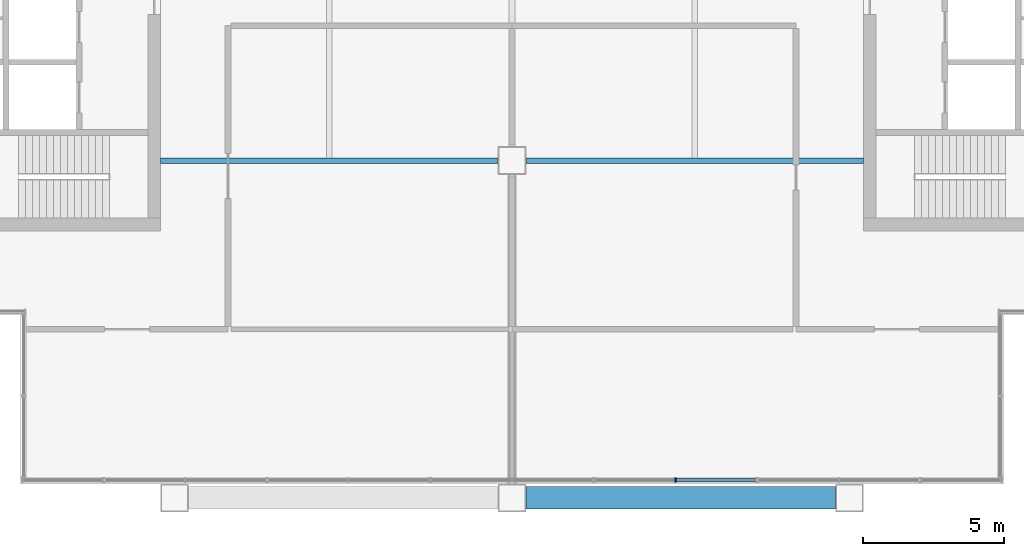
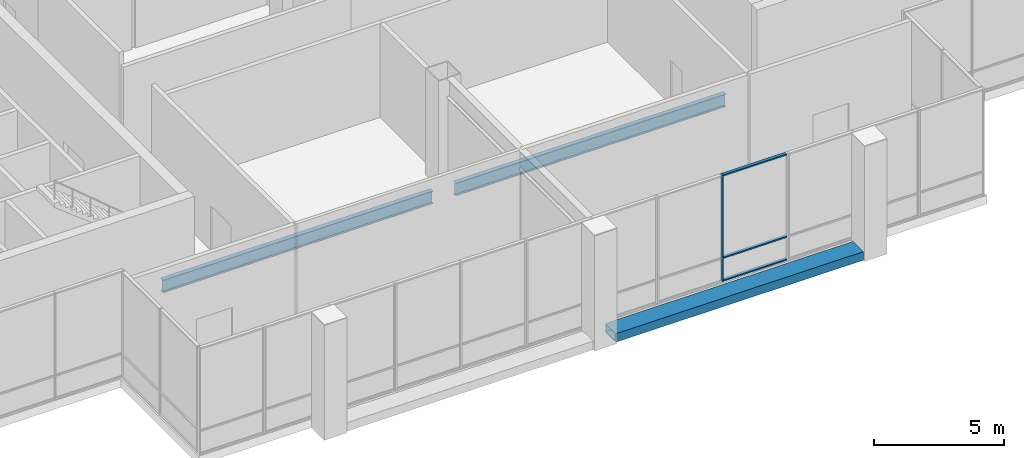
# One storey, part 3 of 15: 4 members, 3 beams, 1 element without a shape of its own.
"""IFC4 building model written with IfcOpenShell, lengths in metres."""

from ifc_helpers import new_model, si_unit, direction, frame, origin, origin_2d, place, context, subcontext, project, spatial, rectangle, hollow_rectangle, i_section, extrude, material, material_profile, profile_set, type_object, element, aggregate, save


model = new_model("IFC4")

# Units and contexts
model_context = context("Model", 3, precision=1e-05, world=origin(), true_north=direction((0.0, 1.0)))
body_context = subcontext(model_context, "Body", "Model", "MODEL_VIEW")
ifc_project = project(units=[si_unit("LENGTHUNIT", "METRE"), si_unit("AREAUNIT", "SQUARE_METRE"), si_unit("VOLUMEUNIT", "CUBIC_METRE"), si_unit("PLANEANGLEUNIT", "RADIAN"), si_unit("MASSUNIT", "GRAM", prefix="KILO")], contexts=[model_context])

# Site, building, storey
site_placement = place(None, origin())
site = spatial("IfcSite", under=ifc_project, at=site_placement, CompositionType="ELEMENT")
building_placement = place(site_placement, origin())
building = spatial("IfcBuilding", under=site, at=building_placement, Name="Kitamizu Gate Tower and Museum", CompositionType="ELEMENT")
storey_placement = place(building_placement, frame((0.0, 0.0, 277.949951171875)))
storey = spatial("IfcBuildingStorey", under=building, at=storey_placement, Name="L75", CompositionType="ELEMENT", Elevation=277.949951171875)

# Beams
ifc_material_1 = material(Name="Steel SM490A bronze coated", Category="steel")
ifc_material_profile_1 = material_profile(ifc_material_1, hollow_rectangle(XDim=0.800048828125, YDim=0.39990234375, WallThickness=0.0400390625, at=origin_2d()), Name="BOX 800x400x40")
ifc_profile_set_1 = profile_set([ifc_material_profile_1], Name="Steel SM490A bronze coated")
beam_type_1 = type_object("IfcBeamType", Name="Exoskeleton spandrel beam SB1 BOX 800x400x40", PredefinedType="SPANDREL", material=ifc_profile_set_1)
beam_placement = place(storey_placement, frame((36.5, 12.0, -0.199951171875), z_axis=(1.0, 0.0, 0.0), x_axis=(0.0, 1.0, 0.0)))
element("IfcBeam", 1, at=beam_placement, inside=storey, type_object=beam_type_1, Name="Exoskeleton spandrel beam south 36 L75", PredefinedType="SPANDREL", context=body_context, shape_type="SweptSolid", body=[
    extrude(hollow_rectangle(XDim=0.800048828125, YDim=0.39990234375, WallThickness=0.0400390625, at=origin_2d()), origin(), (0.0, 0.0, 1.0), 11.0),
])
ifc_material_2 = material(Name="Steel SM490A", Category="steel")
ifc_material_profile_2 = material_profile(ifc_material_2, i_section(OverallWidth=0.199951171875, OverallDepth=0.60009765625, WebThickness=0.010986328125, FlangeThickness=0.01708984375, FilletRadius=0.02197265625, at=origin_2d()), Name="H-600x200x11x17")
ifc_profile_set_2 = profile_set([ifc_material_profile_2], Name="Steel SM490A")
beam_type_2 = type_object("IfcBeamType", Name="Floor girder FG1 H 600x200x11x17", PredefinedType="BEAM", material=ifc_profile_set_2)
for number, where, z_axis, x_axis, name in (
    (2, (23.5, 24.0, -0.699951171875), (1.0, 0.0, 0.0), (0.0, 1.0, 0.0), "Floor girder FG1 y24 L75"),
    (3, (36.5, 24.0, -0.699951171875), (1.0, 0.0, 0.0), (0.0, 1.0, 0.0), "Floor girder FG1 y24 L75"),
):
    element("IfcBeam", number, at=place(storey_placement, frame(where, z_axis=z_axis, x_axis=x_axis)), inside=storey, type_object=beam_type_2, Name=name, PredefinedType="BEAM", context=body_context, shape_type="SweptSolid", body=[
        extrude(i_section(OverallWidth=0.199951171875, OverallDepth=0.60009765625, WebThickness=0.010986328125, FlangeThickness=0.01708984375, FilletRadius=0.02197265625, at=origin_2d()), origin(), (0.0, 0.0, 1.0), 12.0),
    ])

# Curtain wall, members
ifc_material_3 = material(Name="Bronze anodised aluminium frame, tinted triple glazing", Category="aluminium")
curtain_wall_type = type_object("IfcCurtainWallType", Name="CURTAIN WALL TYPE C SKY AMENITY", PredefinedType="NOTDEFINED", material=ifc_material_3)
curtain_wall_placement = place(storey_placement, origin())
curtain_wall = element("IfcCurtainWall", 4, at=curtain_wall_placement, inside=storey, type_object=curtain_wall_type, Name="Curtain wall CW-C south L75 part 5", PredefinedType="NOTDEFINED")
ifc_material_4 = material(Name="Bronze anodised aluminium", Category="aluminium")
ifc_material_profile_3 = material_profile(ifc_material_4, rectangle(XDim=0.06005859375, YDim=0.14990234375, at=origin_2d()), Name="AL 60X150")
ifc_profile_set_3 = profile_set([ifc_material_profile_3], Name="Bronze anodised aluminium")
member_type_1 = type_object("IfcMemberType", Name="MULLION 60 X 150 TYPE C", PredefinedType="MULLION", material=ifc_profile_set_3)
member_1_placement = place(storey_placement, frame((41.813232421875, 12.635009765625, 0.0), z_axis=(0.0, 0.0, 1.0), x_axis=(1.0, 0.0, 0.0)))
member_1 = element("IfcMember", 5, at=member_1_placement, type_object=member_type_1, Name="CW-C mullion 2", PredefinedType="MULLION", context=body_context, shape_type="SweptSolid", body=[
    extrude(rectangle(XDim=0.06005859375, YDim=0.14990234375, at=origin_2d()), origin(), (0.0, 0.0, 1.0), 5.0),
])
ifc_material_5 = material(Name="Bronze anodised aluminium", Category="aluminium")
ifc_material_profile_4 = material_profile(ifc_material_5, rectangle(XDim=0.139892578125, YDim=0.06005859375, at=origin_2d()), Name="AL 60X140")
ifc_profile_set_4 = profile_set([ifc_material_profile_4], Name="Bronze anodised aluminium")
member_type_2 = type_object("IfcMemberType", Name="TRANSOM 60 X 140 TYPE C", PredefinedType="USERDEFINED", material=ifc_profile_set_4)
member_2_placement = place(storey_placement, frame((41.84326171875, 12.635009765625, 0.030029296875), z_axis=(1.0, 0.0, 0.0), x_axis=(0.0, 1.0, 0.0)))
member_2 = element("IfcMember", 6, at=member_2_placement, type_object=member_type_2, Name="CW-C transom 2.1", ObjectType="TRANSOM", PredefinedType="USERDEFINED", context=body_context, shape_type="SweptSolid", body=[
    extrude(rectangle(XDim=0.139892578125, YDim=0.06005859375, at=origin_2d()), origin(), (0.0, 0.0, 1.0), 2.816650390625),
])
member_3_placement = place(storey_placement, frame((41.84326171875, 12.635009765625, 1.10009765625), z_axis=(1.0, 0.0, 0.0), x_axis=(0.0, 1.0, 0.0)))
member_3 = element("IfcMember", 7, at=member_3_placement, type_object=member_type_2, Name="CW-C transom 2.2", ObjectType="TRANSOM", PredefinedType="USERDEFINED", context=body_context, shape_type="SweptSolid", body=[
    extrude(rectangle(XDim=0.139892578125, YDim=0.06005859375, at=origin_2d()), origin(), (0.0, 0.0, 1.0), 2.816650390625),
])
member_4_placement = place(storey_placement, frame((41.84326171875, 12.635009765625, 4.969970703125), z_axis=(1.0, 0.0, 0.0), x_axis=(0.0, 1.0, 0.0)))
member_4 = element("IfcMember", 8, at=member_4_placement, type_object=member_type_2, Name="CW-C transom 2.3", ObjectType="TRANSOM", PredefinedType="USERDEFINED", context=body_context, shape_type="SweptSolid", body=[
    extrude(rectangle(XDim=0.139892578125, YDim=0.06005859375, at=origin_2d()), origin(), (0.0, 0.0, 1.0), 2.816650390625),
])
aggregate(curtain_wall, [member_1, member_2, member_3, member_4])

save(model, "model.ifc")
